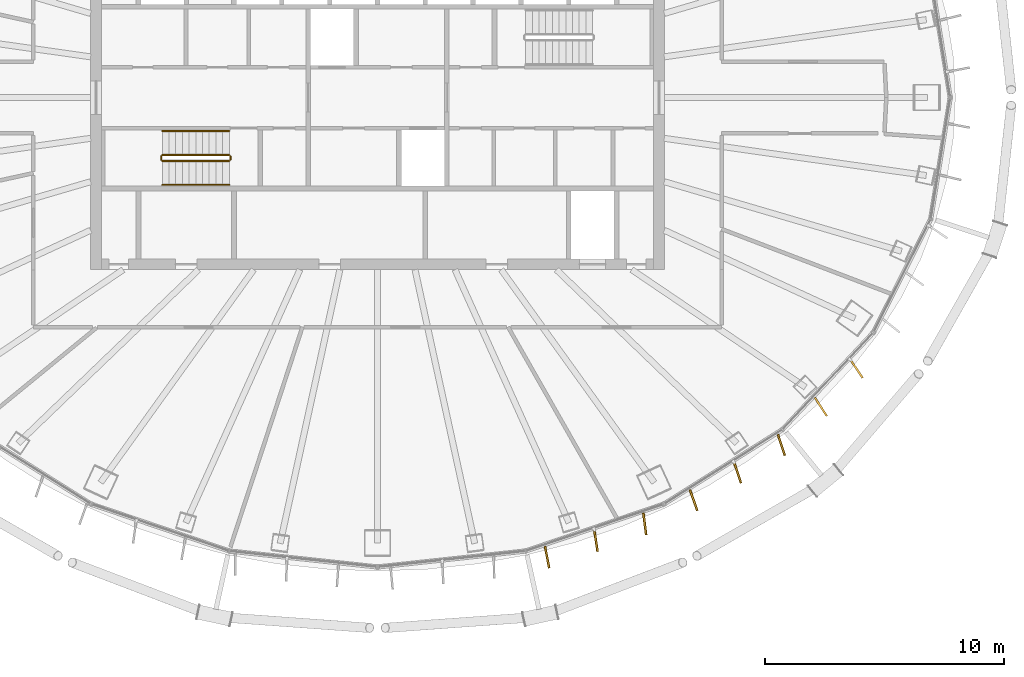
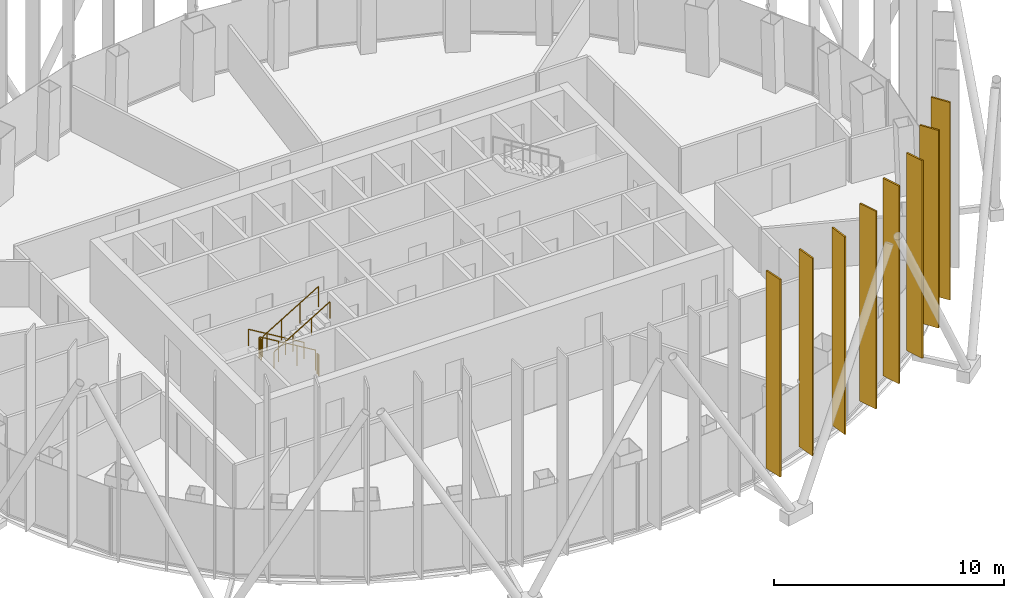
# One storey, part 16 of 18: 8 shading devices, 6 railings.
"""IFC4 building model written with IfcOpenShell, lengths in metres."""

import ifcopenshell
import ifcopenshell.guid

model = None  # the IFC model being written
_history = None  # IfcOwnerHistory: only IFC2X3 demands one
_inside = {}  # id of a spatial element -> (the spatial element, [elements in it])
_under = {}  # id of a project, library or spatial element -> (it, [spatial elements below it])
_declared = {}  # id of a project -> (the project, [libraries it declares])
_typed = {}  # id of a type object -> (the type object, [elements of that type])
_made_of = {}  # id of a material, layer set ... -> (it, [elements and type objects made of it])


def new_model(schema):
    """Start an empty IFC model of exactly this schema.

    Asked for "IFC4X3", IfcOpenShell would pick the latest addendum, in which some entities
    have other attributes; the version numbers below select the first issue.
    IFC2X3 requires an IfcOwnerHistory on every rooted entity: one is made here for all.
    """
    global model, _history
    if schema == "IFC4X3":
        model = ifcopenshell.file(schema_version=(4, 3, 0, 0))
    else:
        model = ifcopenshell.file(schema=schema)
    _inside.clear()
    _under.clear()
    _declared.clear()
    _typed.clear()
    _made_of.clear()
    _history = None
    if model.schema == "IFC2X3":
        org = make("IfcOrganization", Name="unknown")
        user = make(
            "IfcPersonAndOrganization",
            ThePerson=make("IfcPerson", FamilyName="unknown"),
            TheOrganization=org,
        )
        app = make(
            "IfcApplication",
            ApplicationDeveloper=org,
            Version="unknown",
            ApplicationFullName="unknown",
            ApplicationIdentifier="unknown",
        )
        _history = make(
            "IfcOwnerHistory",
            OwningUser=user,
            OwningApplication=app,
            ChangeAction="ADDED",
            CreationDate=0,
        )
    return model


def make(cls, **values):
    """One entity of the class cls with the attributes given. An attribute that is None is left unset."""
    return model.create_entity(
        cls, **{name: value for name, value in values.items() if value is not None}
    )


def rooted(cls, **values):
    """An entity with a GlobalId (a new one), such as an element, a storey or a relation."""
    return make(cls, GlobalId=ifcopenshell.guid.new(), OwnerHistory=_history, **values)


def si_unit(unit_type, name, prefix=None):
    """IfcSIUnit, for example si_unit("LENGTHUNIT", "METRE", prefix="MILLI")."""
    return make("IfcSIUnit", UnitType=unit_type, Prefix=prefix, Name=name)


def assignment(units):
    """IfcUnitAssignment: the units of a project."""
    return None if units is None else make("IfcUnitAssignment", Units=units)


def point(xyz):
    """IfcCartesianPoint."""
    return None if xyz is None else make("IfcCartesianPoint", Coordinates=xyz)


def direction(xyz):
    """IfcDirection."""
    return None if xyz is None else make("IfcDirection", DirectionRatios=xyz)


def frame(location, z_axis=None, x_axis=None):
    """IfcAxis2Placement3D, a coordinate frame: its origin and axes. An axis left out is left unset."""
    return make(
        "IfcAxis2Placement3D",
        Location=point(location),
        Axis=direction(z_axis),
        RefDirection=direction(x_axis),
    )


def frame_2d(location, x_axis=None):
    """IfcAxis2Placement2D, a coordinate frame in the plane: its origin and x axis."""
    return make(
        "IfcAxis2Placement2D", Location=point(location), RefDirection=direction(x_axis)
    )


def origin():
    """The frame at (0, 0, 0) with its axes left unset."""
    return frame((0.0, 0.0, 0.0))


def origin_2d():
    """The frame at (0, 0) in the plane with its x axis left unset."""
    return frame_2d((0.0, 0.0))


def place(relative_to, where):
    """IfcLocalPlacement: puts the frame where relative to a parent placement (None: the world)."""
    return make(
        "IfcLocalPlacement", PlacementRelTo=relative_to, RelativePlacement=where
    )


def context(
    kind, dimensions, precision=None, world=None, true_north=None, identifier=None
):
    """IfcGeometricRepresentationContext, for example the 3D "Model" context."""
    return make(
        "IfcGeometricRepresentationContext",
        ContextIdentifier=identifier,
        ContextType=kind,
        CoordinateSpaceDimension=dimensions,
        Precision=precision,
        WorldCoordinateSystem=world,
        TrueNorth=true_north,
    )


def subcontext(parent, identifier, kind, view, scale=None):
    """IfcGeometricRepresentationSubContext, for example "Body" below "Model"."""
    return make(
        "IfcGeometricRepresentationSubContext",
        ContextIdentifier=identifier,
        ContextType=kind,
        ParentContext=parent,
        TargetScale=scale,
        TargetView=view,
    )


def project(units=None, contexts=None):
    """IfcProject with its units and contexts."""
    return rooted(
        "IfcProject",
        Name="project",
        RepresentationContexts=contexts,
        UnitsInContext=assignment(units),
    )


def spatial(cls, under=None, at=None, **own):
    """A site, building, storey or space (cls), placed at a placement, below another one or the project."""
    s = rooted(cls, ObjectPlacement=at, **own)
    if under is not None:
        _under.setdefault(under.id(), (under, []))[1].append(s)
    return s


def profile(cls, at=None, kind="AREA", **sizes):
    """A parametric profile (cls). Its sizes go by their IFC names, for example OverallWidth=200.0."""
    return make(cls, ProfileType=kind, Position=at, **sizes)


def rectangle(**sizes):
    """IfcRectangleProfileDef."""
    return profile("IfcRectangleProfileDef", **sizes)


def circle(**sizes):
    """IfcCircleProfileDef."""
    return profile("IfcCircleProfileDef", **sizes)


def extrude(swept, where, along, depth):
    """IfcExtrudedAreaSolid: the profile swept, set in the frame where, extruded along a direction by depth."""
    return make(
        "IfcExtrudedAreaSolid",
        SweptArea=swept,
        Position=where,
        ExtrudedDirection=direction(along),
        Depth=depth,
    )


def shape(context_of_items, identifier, shape_type, items):
    """IfcShapeRepresentation: the items that make up one representation, for example the "Body"."""
    return make(
        "IfcShapeRepresentation",
        ContextOfItems=context_of_items,
        RepresentationIdentifier=identifier,
        RepresentationType=shape_type,
        Items=items,
    )


def material(Name=None, Category=None):
    """IfcMaterial."""
    return make("IfcMaterial", Name=Name, Category=Category)


def layer(
    of_material, thickness, ventilated=None, Name=None, Category=None, Priority=None
):
    """IfcMaterialLayer: one layer of a wall or slab, of a material (None: an air gap)."""
    return make(
        "IfcMaterialLayer",
        Material=of_material,
        LayerThickness=thickness,
        IsVentilated=ventilated,
        Name=Name,
        Category=Category,
        Priority=Priority,
    )


def layer_set(layers, Name=None):
    """IfcMaterialLayerSet."""
    return make("IfcMaterialLayerSet", MaterialLayers=layers, LayerSetName=Name)


def made_of(thing, what):
    """Note that an element or type object is made of a material, layer set ...; save() writes the relation."""
    if what is not None:
        _made_of.setdefault(what.id(), (what, []))[1].append(thing)
    return thing


def type_object(cls, material=None, **own):
    """A type object (cls), such as IfcWallType, which elements share."""
    return made_of(rooted(cls, **own), material)


def element(
    cls,
    number,
    at=None,
    inside=None,
    cuts=None,
    type_object=None,
    material=None,
    context=None,
    identifier="Body",
    shape_type=None,
    held_by="IfcProductDefinitionShape",
    body=None,
    shapes=None,
    **own,
):
    """One element of the class cls, such as IfcWall. Its Tag is "e" and its number.

    at: its placement. inside: the storey or other place that contains it. cuts: it is an
    opening in that element (IfcRelVoidsElement). A single representation is given by context,
    identifier, shape_type and body (its items); several are given by shapes. held_by: the class
    of the entity that holds the representations. save() writes the other relations.
    """
    e = rooted(cls, Tag="e%d" % number, ObjectPlacement=at, **own)
    if body is not None:
        shapes = [shape(context, identifier, shape_type, body)]
    if shapes is not None:
        e.Representation = make(held_by, Representations=shapes)
    if inside is not None:
        _inside.setdefault(inside.id(), (inside, []))[1].append(e)
    if cuts is not None:
        rooted(
            "IfcRelVoidsElement", RelatingBuildingElement=cuts, RelatedOpeningElement=e
        )
    if type_object is not None:
        _typed.setdefault(type_object.id(), (type_object, []))[1].append(e)
    return made_of(e, material)


def aggregate(whole, parts):
    """IfcRelAggregates: a whole, such as a stair, and the parts it consists of."""
    return rooted("IfcRelAggregates", RelatingObject=whole, RelatedObjects=parts)


def save(model, path):
    """Write the relations noted so far, then the file.

    IfcRelAggregates (storeys below a building ...), IfcRelContainedInSpatialStructure (elements
    in a storey), IfcRelDefinesByType, IfcRelAssociatesMaterial and IfcRelDeclares: one each for
    every whole, place, type object, material and project.
    """
    for whole, parts in _under.values():
        aggregate(whole, parts)
    for where, things in _inside.values():
        rooted(
            "IfcRelContainedInSpatialStructure",
            RelatedElements=things,
            RelatingStructure=where,
        )
    for kind, things in _typed.values():
        rooted("IfcRelDefinesByType", RelatedObjects=things, RelatingType=kind)
    for what, things in _made_of.values():
        rooted("IfcRelAssociatesMaterial", RelatedObjects=things, RelatingMaterial=what)
    for by, libraries in _declared.values():
        rooted("IfcRelDeclares", RelatingContext=by, RelatedDefinitions=libraries)
    model.write(path)


model = new_model("IFC4")

# Units and contexts
model_context = context("Model", 3, precision=1e-05, world=origin(), true_north=direction((0.0, 1.0)))
body_context = subcontext(model_context, "Body", "Model", "MODEL_VIEW")
ifc_project = project(units=[si_unit("LENGTHUNIT", "METRE"), si_unit("AREAUNIT", "SQUARE_METRE"), si_unit("VOLUMEUNIT", "CUBIC_METRE"), si_unit("PLANEANGLEUNIT", "RADIAN"), si_unit("MASSUNIT", "GRAM", prefix="KILO")], contexts=[model_context])

# Site, building, storey
site_placement = place(None, origin())
site = spatial("IfcSite", under=ifc_project, at=site_placement, CompositionType="ELEMENT")
building_placement = place(site_placement, origin())
building = spatial("IfcBuilding", under=site, at=building_placement, Name="Siaravel Broadcast Tower", CompositionType="ELEMENT")
storey_placement = place(building_placement, frame((0.0, 0.0, 157.10009765625)))
storey = spatial("IfcBuildingStorey", under=building, at=storey_placement, Name="L37", CompositionType="ELEMENT", Elevation=157.10009765625)

# Shading devices
ifc_material_1 = material(Name="Bronze anodised aluminium", Category="aluminium")
ifc_layer = layer(ifc_material_1, 0.080078125)
ifc_layer_set = layer_set([ifc_layer], Name="Bronze anodised aluminium")
shading_device_type = type_object("IfcShadingDeviceType", Name="Bronze fin zone 3", PredefinedType="USERDEFINED", material=ifc_layer_set)
for number, where, z_axis, x_axis, name in (
    (1, (7.095703125, -19.228515625, 0.2998046875), (0.0, 0.0, 1.0), (0.189273679, -0.981924373, 0.0), "Bronze fin L37-51"),
    (2, (9.1376953125, -18.532958984375, 0.2998046875), (0.0, 0.0, 1.0), (0.154551747, -0.987984695, 0.0), "Bronze fin L37-52"),
    (3, (11.1826171875, -17.83642578125, 0.2998046875), (0.0, 0.0, 1.0), (0.125566992, -0.992085143, 0.0), "Bronze fin L37-53"),
    (4, (13.2265625, -16.84521484375, 0.2998046875), (0.0, 0.0, 1.0), (0.331036518, -0.943617944, 0.0), "Bronze fin L37-54"),
    (5, (15.060302734375, -15.69091796875, 0.2998046875), (0.0, 0.0, 1.0), (0.317049754, -0.948408906, 0.0), "Bronze fin L37-55"),
    (6, (16.897705078125, -14.535400390625, 0.2998046875), (0.0, 0.0, 1.0), (0.311590374, -0.950216522, 0.0), "Bronze fin L37-56"),
    (7, (18.550537109375, -12.93798828125, 0.2998046875), (0.0, 0.0, 1.0), (0.545961592, -0.837810205, 0.0), "Bronze fin L37-57"),
    (8, (20.041748046875, -11.348388671875, 0.2998046875), (0.0, 0.0, 1.0), (0.557508957, -0.830170924, 0.0), "Bronze fin L37-58"),
):
    element("IfcShadingDevice", number, at=place(storey_placement, frame(where, z_axis=z_axis, x_axis=x_axis)), inside=storey, type_object=shading_device_type, Name=name, ObjectType="FIN", PredefinedType="USERDEFINED", context=body_context, shape_type="SweptSolid", body=[
        extrude(rectangle(XDim=0.919921875, YDim=0.080078125, at=origin_2d()), origin(), (0.0, 0.0, 1.0), 10.5),
    ])

# Railings
ifc_material_2 = material(Name="Stainless steel 316L", Category="steel")
railing_type_1 = type_object("IfcRailingType", Name="Stair guard 1100", PredefinedType="GUARDRAIL", material=ifc_material_2)
railing_1_placement = place(storey_placement, frame((-6.199951171875, -2.39990234375, 0.16796875)))
element("IfcRailing", 9, at=railing_1_placement, inside=storey, type_object=railing_type_1, Name="L37 ST-1 stair guard 1", PredefinedType="GUARDRAIL", context=body_context, shape_type="SweptSolid", body=[
    extrude(circle(Radius=0.02392578125, at=origin_2d()), frame((0.0, 0.0, 1.076171875), z_axis=(-0.857242211, 0.0, 0.514913383), x_axis=(0.0, -1.0, 0.0)), (0.0, 0.0, 1.0), 3.266357421875),
    extrude(circle(Radius=0.02099609375, at=origin_2d()), origin(), (0.0, 0.0, 1.0), 1.052001953125),
    extrude(circle(Radius=0.02099609375, at=origin_2d()), frame((-0.933349609375, 0.0, 0.560546875)), (0.0, 0.0, 1.0), 1.052001953125),
    extrude(circle(Radius=0.02099609375, at=origin_2d()), frame((-1.86669921875, 0.0, 1.121337890625)), (0.0, 0.0, 1.0), 1.052001953125),
    extrude(circle(Radius=0.02099609375, at=origin_2d()), frame((-2.800048828125, 0.0, 1.681884765625)), (0.0, 0.0, 1.0), 1.052001953125),
])
railing_2_placement = place(storey_placement, frame((-9.050048828125, -2.449951171875, 1.849853515625)))
element("IfcRailing", 10, at=railing_2_placement, inside=storey, type_object=railing_type_1, Name="L37 ST-1 stair guard 2", PredefinedType="GUARDRAIL", context=body_context, shape_type="SweptSolid", body=[
    extrude(circle(Radius=0.02392578125, at=origin_2d()), frame((0.0, 0.0, 1.076171875), z_axis=(0.0, -1.0, 0.0), x_axis=(1.0, 0.0, 0.0)), (0.0, 0.0, 1.0), 0.150146484375),
    extrude(circle(Radius=0.02099609375, at=origin_2d()), origin(), (0.0, 0.0, 1.0), 1.052001953125),
    extrude(circle(Radius=0.02099609375, at=origin_2d()), frame((0.0, -0.150146484375, 0.0)), (0.0, 0.0, 1.0), 1.052001953125),
])
railing_3_placement = place(storey_placement, frame((-9.0, -2.64990234375, 2.01806640625)))
element("IfcRailing", 11, at=railing_3_placement, inside=storey, type_object=railing_type_1, Name="L37 ST-1 stair guard 3", PredefinedType="GUARDRAIL", context=body_context, shape_type="SweptSolid", body=[
    extrude(circle(Radius=0.02392578125, at=origin_2d()), frame((0.0, 0.0, 1.076171875), z_axis=(0.857242211, 0.0, 0.514913383), x_axis=(0.0, 1.0, 0.0)), (0.0, 0.0, 1.0), 3.266357421875),
    extrude(circle(Radius=0.02099609375, at=origin_2d()), origin(), (0.0, 0.0, 1.0), 1.052001953125),
    extrude(circle(Radius=0.02099609375, at=origin_2d()), frame((0.933349609375, 0.0, 0.560546875)), (0.0, 0.0, 1.0), 1.052001953125),
    extrude(circle(Radius=0.02099609375, at=origin_2d()), frame((1.86669921875, 0.0, 1.121337890625)), (0.0, 0.0, 1.0), 1.052001953125),
    extrude(circle(Radius=0.02099609375, at=origin_2d()), frame((2.800048828125, 0.0, 1.681884765625)), (0.0, 0.0, 1.0), 1.052001953125),
])
railing_4_placement = place(storey_placement, frame((-6.14990234375, -2.449951171875, 0.0)))
element("IfcRailing", 12, at=railing_4_placement, inside=storey, type_object=railing_type_1, Name="L37 ST-1 stair guard 4", PredefinedType="GUARDRAIL", context=body_context, shape_type="SweptSolid", body=[
    extrude(circle(Radius=0.02392578125, at=origin_2d()), frame((0.0, 0.0, 1.076171875), z_axis=(0.0, -1.0, 0.0), x_axis=(1.0, 0.0, 0.0)), (0.0, 0.0, 1.0), 0.150146484375),
    extrude(circle(Radius=0.02099609375, at=origin_2d()), origin(), (0.0, 0.0, 1.0), 1.052001953125),
    extrude(circle(Radius=0.02099609375, at=origin_2d()), frame((0.0, -0.150146484375, 0.0)), (0.0, 0.0, 1.0), 1.052001953125),
])
railing_type_2 = type_object("IfcRailingType", Name="Stair handrail 900", PredefinedType="HANDRAIL", material=ifc_material_2)
railing_5_placement = place(storey_placement, frame((-6.199951171875, -1.39990234375, 0.16796875)))
element("IfcRailing", 13, at=railing_5_placement, inside=storey, type_object=railing_type_2, Name="L37 ST-1 stair handrail 1", PredefinedType="HANDRAIL", context=body_context, shape_type="SweptSolid", body=[
    extrude(circle(Radius=0.02392578125, at=origin_2d()), frame((0.0, 0.0, 0.8759765625), z_axis=(-0.857242211, 0.0, 0.514913383), x_axis=(0.0, -1.0, 0.0)), (0.0, 0.0, 1.0), 3.266357421875),
    extrude(circle(Radius=0.02099609375, at=origin_2d()), origin(), (0.0, 0.0, 1.0), 0.851806640625),
    extrude(circle(Radius=0.02099609375, at=origin_2d()), frame((-0.933349609375, 0.0, 0.560546875)), (0.0, 0.0, 1.0), 0.851806640625),
    extrude(circle(Radius=0.02099609375, at=origin_2d()), frame((-1.86669921875, 0.0, 1.121337890625)), (0.0, 0.0, 1.0), 0.851806640625),
    extrude(circle(Radius=0.02099609375, at=origin_2d()), frame((-2.800048828125, 0.0, 1.681884765625)), (0.0, 0.0, 1.0), 0.851806640625),
])
railing_6_placement = place(storey_placement, frame((-9.0, -3.64990234375, 2.01806640625)))
element("IfcRailing", 14, at=railing_6_placement, inside=storey, type_object=railing_type_2, Name="L37 ST-1 stair handrail 2", PredefinedType="HANDRAIL", context=body_context, shape_type="SweptSolid", body=[
    extrude(circle(Radius=0.02392578125, at=origin_2d()), frame((0.0, 0.0, 0.8759765625), z_axis=(0.857242211, 0.0, 0.514913383), x_axis=(0.0, 1.0, 0.0)), (0.0, 0.0, 1.0), 3.266357421875),
    extrude(circle(Radius=0.02099609375, at=origin_2d()), origin(), (0.0, 0.0, 1.0), 0.851806640625),
    extrude(circle(Radius=0.02099609375, at=origin_2d()), frame((0.933349609375, 0.0, 0.560546875)), (0.0, 0.0, 1.0), 0.851806640625),
    extrude(circle(Radius=0.02099609375, at=origin_2d()), frame((1.86669921875, 0.0, 1.121337890625)), (0.0, 0.0, 1.0), 0.851806640625),
    extrude(circle(Radius=0.02099609375, at=origin_2d()), frame((2.800048828125, 0.0, 1.681884765625)), (0.0, 0.0, 1.0), 0.851806640625),
])

save(model, "model.ifc")
